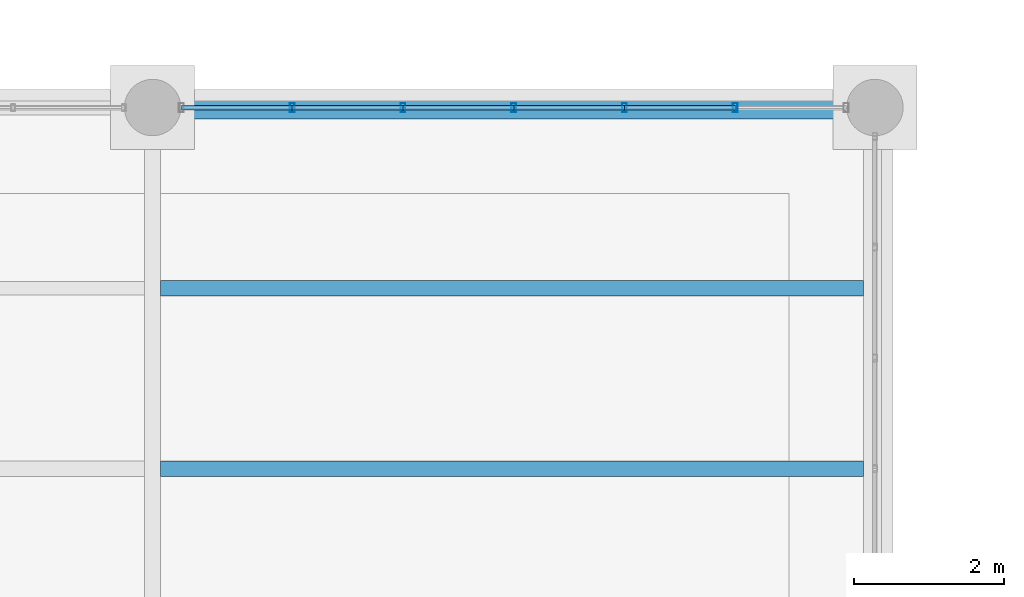
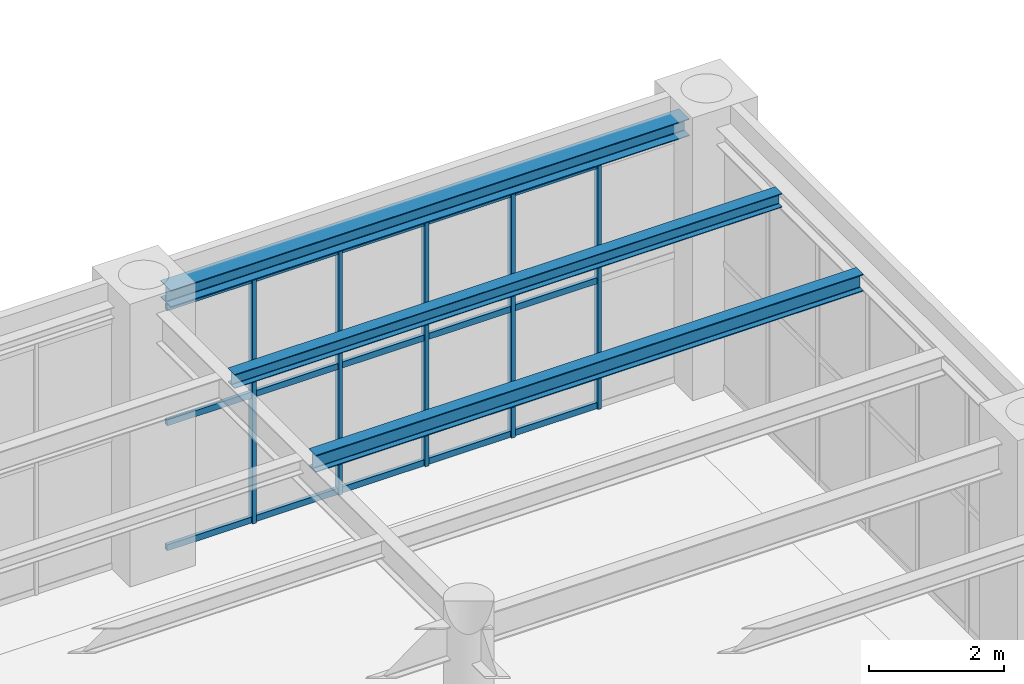
# One storey, part 69 of 174: 20 members, 3 beams, 1 element without a shape of its own.
"""IFC4 building model written with IfcOpenShell, lengths in metres."""

from ifc_helpers import new_model, si_unit, direction, frame, origin, origin_2d, place, context, subcontext, project, spatial, hollow_rectangle, i_section, extrude, material, material_profile, profile_set, type_object, element, aggregate, save


model = new_model("IFC4")

# Units and contexts
model_context = context("Model", 3, precision=1e-05, world=origin(), true_north=direction((0.0, 1.0)))
body_context = subcontext(model_context, "Body", "Model", "MODEL_VIEW")
ifc_project = project(units=[si_unit("LENGTHUNIT", "METRE"), si_unit("AREAUNIT", "SQUARE_METRE"), si_unit("VOLUMEUNIT", "CUBIC_METRE"), si_unit("PLANEANGLEUNIT", "RADIAN"), si_unit("MASSUNIT", "GRAM", prefix="KILO")], contexts=[model_context])

# Site, building, storey
site_placement = place(None, origin())
site = spatial("IfcSite", under=ifc_project, at=site_placement, CompositionType="ELEMENT")
building_placement = place(site_placement, origin())
building = spatial("IfcBuilding", under=site, at=building_placement, Name="Mavantir Sound Aquarium", CompositionType="ELEMENT")
storey_placement = place(building_placement, frame((0.0, 0.0, 5.39990234375)))
storey = spatial("IfcBuildingStorey", under=building, at=storey_placement, Name="L01", CompositionType="ELEMENT", Elevation=5.39990234375)

# Beams
ifc_material_1 = material(Name="Structural Steel ASTM A992 Gr50", Category="steel")
ifc_material_profile_1 = material_profile(ifc_material_1, i_section(OverallWidth=0.202880859375, OverallDepth=0.251953125, WebThickness=0.008056640625, FlangeThickness=0.013427734375, FilletRadius=0.011962890625, at=origin_2d()), Name="W250X58")
ifc_profile_set_1 = profile_set([ifc_material_profile_1], Name="Structural Steel ASTM A992 Gr50")
beam_type_1 = type_object("IfcBeamType", Name="BM-W250X58-I", PredefinedType="JOIST", material=ifc_profile_set_1)
beam_1_placement = place(storey_placement, frame((55.305908203125, 67.199951171875, 4.650146484375), z_axis=(1.0, 0.0, 0.0), x_axis=(0.0, 1.0, 0.0)))
element("IfcBeam", 1, at=beam_1_placement, inside=storey, type_object=beam_type_1, Name="L01 secondary floor joist SJ-25 688", PredefinedType="JOIST", context=body_context, shape_type="SweptSolid", body=[
    extrude(i_section(OverallWidth=0.202880859375, OverallDepth=0.251953125, WebThickness=0.008056640625, FlangeThickness=0.013427734375, FilletRadius=0.011962890625, at=origin_2d()), origin(), (0.0, 0.0, 1.0), 9.341552734375),
])
ifc_material_profile_2 = material_profile(ifc_material_1, i_section(OverallWidth=0.205078125, OverallDepth=0.31005859375, WebThickness=0.009521484375, FlangeThickness=0.016357421875, FilletRadius=0.012939453125, at=origin_2d()), Name="W310X74")
ifc_profile_set_2 = profile_set([ifc_material_profile_2], Name="Structural Steel ASTM A992 Gr50")
beam_type_2 = type_object("IfcBeamType", Name="BM-W310X74-I", PredefinedType="JOIST", material=ifc_profile_set_2)
beam_2_placement = place(storey_placement, frame((55.305908203125, 64.800048828125, 4.62109375), z_axis=(1.0, 0.0, 0.0), x_axis=(0.0, 1.0, 0.0)))
element("IfcBeam", 2, at=beam_2_placement, inside=storey, type_object=beam_type_2, Name="L01 secondary floor joist SJ-31 687", PredefinedType="JOIST", context=body_context, shape_type="SweptSolid", body=[
    extrude(i_section(OverallWidth=0.205078125, OverallDepth=0.31005859375, WebThickness=0.009521484375, FlangeThickness=0.016357421875, FilletRadius=0.012939453125, at=origin_2d()), origin(), (0.0, 0.0, 1.0), 9.341552734375),
])
ifc_material_profile_3 = material_profile(ifc_material_1, i_section(OverallWidth=0.304931640625, OverallDepth=0.30810546875, WebThickness=0.010009765625, FlangeThickness=0.015380859375, FilletRadius=0.014892578125, at=origin_2d()), Name="W310X97")
ifc_profile_set_3 = profile_set([ifc_material_profile_3], Name="Structural Steel ASTM A992 Gr50")
beam_type_3 = type_object("IfcBeamType", Name="BM-W310X97-E", PredefinedType="SPANDREL", material=ifc_profile_set_3)
beam_3_placement = place(storey_placement, frame((55.574951171875, 69.60009765625, 4.6220703125), z_axis=(1.0, 0.0, 0.0), x_axis=(0.0, 1.0, 0.0)))
element("IfcBeam", 3, at=beam_3_placement, inside=storey, type_object=beam_type_3, Name="L01 primary beam SS-31A 1193", PredefinedType="SPANDREL", context=body_context, shape_type="SweptSolid", body=[
    extrude(i_section(OverallWidth=0.304931640625, OverallDepth=0.30810546875, WebThickness=0.010009765625, FlangeThickness=0.015380859375, FilletRadius=0.014892578125, at=origin_2d()), origin(), (0.0, 0.0, 1.0), 8.85009765625),
])

# Curtain wall, members
ifc_material_2 = material(Name="Anodised Marine Aluminium and Low-E Glass", Category="aluminium")
curtain_wall_type = type_object("IfcCurtainWallType", Name="CW-T10", PredefinedType="USERDEFINED", material=ifc_material_2)
curtain_wall_placement = place(storey_placement, origin())
curtain_wall = element("IfcCurtainWall", 4, at=curtain_wall_placement, inside=storey, type_object=curtain_wall_type, Name="L01 unitised curtain wall CW-10 58", ObjectType="UNITISED GLAZING", PredefinedType="USERDEFINED")
ifc_material_3 = material(Name="Anodised Marine Aluminium 6063-T6", Category="aluminium")
ifc_material_profile_4 = material_profile(ifc_material_3, hollow_rectangle(XDim=0.06494140625, YDim=0.1201171875, WallThickness=0.00390625, at=origin_2d()), Name="ALU-MULLION-120X65")
ifc_profile_set_4 = profile_set([ifc_material_profile_4], Name="Anodised Marine Aluminium 6063-T6")
member_type_1 = type_object("IfcMemberType", Name="CW-MUL-120", PredefinedType="MULLION", material=ifc_profile_set_4)
member_1_placement = place(storey_placement, frame((62.944580078125, 69.60009765625, 0.0), z_axis=(0.0, 0.0, 1.0), x_axis=(1.0, 0.0, 0.0)))
member_1 = element("IfcMember", 5, at=member_1_placement, type_object=member_type_1, Name="CW-L01-058 vertical mullion 2", PredefinedType="MULLION", context=body_context, shape_type="SweptSolid", body=[
    extrude(hollow_rectangle(XDim=0.06494140625, YDim=0.1201171875, WallThickness=0.00390625, at=origin_2d()), origin(), (0.0, 0.0, 1.0), 4.43798828125),
])
member_2_placement = place(storey_placement, frame((61.472412109375, 69.60009765625, 0.0), z_axis=(0.0, 0.0, 1.0), x_axis=(1.0, 0.0, 0.0)))
member_2 = element("IfcMember", 6, at=member_2_placement, type_object=member_type_1, Name="CW-L01-058 vertical mullion 3", PredefinedType="MULLION", context=body_context, shape_type="SweptSolid", body=[
    extrude(hollow_rectangle(XDim=0.06494140625, YDim=0.1201171875, WallThickness=0.00390625, at=origin_2d()), origin(), (0.0, 0.0, 1.0), 4.43798828125),
])
member_3_placement = place(storey_placement, frame((60.0, 69.60009765625, 0.0), z_axis=(0.0, 0.0, 1.0), x_axis=(1.0, 0.0, 0.0)))
member_3 = element("IfcMember", 7, at=member_3_placement, type_object=member_type_1, Name="CW-L01-058 vertical mullion 4", PredefinedType="MULLION", context=body_context, shape_type="SweptSolid", body=[
    extrude(hollow_rectangle(XDim=0.06494140625, YDim=0.1201171875, WallThickness=0.00390625, at=origin_2d()), origin(), (0.0, 0.0, 1.0), 4.43798828125),
])
member_4_placement = place(storey_placement, frame((58.527587890625, 69.60009765625, 0.0), z_axis=(0.0, 0.0, 1.0), x_axis=(1.0, 0.0, 0.0)))
member_4 = element("IfcMember", 8, at=member_4_placement, type_object=member_type_1, Name="CW-L01-058 vertical mullion 5", PredefinedType="MULLION", context=body_context, shape_type="SweptSolid", body=[
    extrude(hollow_rectangle(XDim=0.06494140625, YDim=0.1201171875, WallThickness=0.00390625, at=origin_2d()), origin(), (0.0, 0.0, 1.0), 4.43798828125),
])
member_5_placement = place(storey_placement, frame((57.055419921875, 69.60009765625, 0.0), z_axis=(0.0, 0.0, 1.0), x_axis=(1.0, 0.0, 0.0)))
member_5 = element("IfcMember", 9, at=member_5_placement, type_object=member_type_1, Name="CW-L01-058 vertical mullion 6", PredefinedType="MULLION", context=body_context, shape_type="SweptSolid", body=[
    extrude(hollow_rectangle(XDim=0.06494140625, YDim=0.1201171875, WallThickness=0.00390625, at=origin_2d()), origin(), (0.0, 0.0, 1.0), 4.43798828125),
])
ifc_material_profile_5 = material_profile(ifc_material_3, hollow_rectangle(XDim=0.06005859375, YDim=0.110107421875, WallThickness=0.00390625, at=origin_2d()), Name="ALU-TRANSOM-110X60")
ifc_profile_set_5 = profile_set([ifc_material_profile_5], Name="Anodised Marine Aluminium 6063-T6")
member_type_2 = type_object("IfcMemberType", Name="CW-TRN-110", PredefinedType="USERDEFINED", material=ifc_profile_set_5)
member_6_placement = place(storey_placement, frame((62.944580078125, 69.60009765625, 0.05517578125), z_axis=(-1.0, 0.0, 0.0), x_axis=(0.0, -1.0, 0.0)))
member_6 = element("IfcMember", 10, at=member_6_placement, type_object=member_type_2, Name="CW-L01-058 transom 2.1", ObjectType="TRANSOM", PredefinedType="USERDEFINED", context=body_context, shape_type="SweptSolid", body=[
    extrude(hollow_rectangle(XDim=0.06005859375, YDim=0.110107421875, WallThickness=0.00390625, at=origin_2d()), origin(), (0.0, 0.0, 1.0), 1.47216796875),
])
member_7_placement = place(storey_placement, frame((62.944580078125, 69.60009765625, 2.307861328125), z_axis=(-1.0, 0.0, 0.0), x_axis=(0.0, -1.0, 0.0)))
member_7 = element("IfcMember", 11, at=member_7_placement, type_object=member_type_2, Name="CW-L01-058 transom 2.2", ObjectType="TRANSOM", PredefinedType="USERDEFINED", context=body_context, shape_type="SweptSolid", body=[
    extrude(hollow_rectangle(XDim=0.06005859375, YDim=0.110107421875, WallThickness=0.00390625, at=origin_2d()), origin(), (0.0, 0.0, 1.0), 1.47216796875),
])
member_8_placement = place(storey_placement, frame((62.944580078125, 69.60009765625, 4.383056640625), z_axis=(-1.0, 0.0, 0.0), x_axis=(0.0, -1.0, 0.0)))
member_8 = element("IfcMember", 12, at=member_8_placement, type_object=member_type_2, Name="CW-L01-058 transom 2.3", ObjectType="TRANSOM", PredefinedType="USERDEFINED", context=body_context, shape_type="SweptSolid", body=[
    extrude(hollow_rectangle(XDim=0.06005859375, YDim=0.110107421875, WallThickness=0.00390625, at=origin_2d()), origin(), (0.0, 0.0, 1.0), 1.47216796875),
])
member_9_placement = place(storey_placement, frame((61.472412109375, 69.60009765625, 0.05517578125), z_axis=(-1.0, 0.0, 0.0), x_axis=(0.0, -1.0, 0.0)))
member_9 = element("IfcMember", 13, at=member_9_placement, type_object=member_type_2, Name="CW-L01-058 transom 3.1", ObjectType="TRANSOM", PredefinedType="USERDEFINED", context=body_context, shape_type="SweptSolid", body=[
    extrude(hollow_rectangle(XDim=0.06005859375, YDim=0.110107421875, WallThickness=0.00390625, at=origin_2d()), origin(), (0.0, 0.0, 1.0), 1.472412109375),
])
member_10_placement = place(storey_placement, frame((61.472412109375, 69.60009765625, 2.307861328125), z_axis=(-1.0, 0.0, 0.0), x_axis=(0.0, -1.0, 0.0)))
member_10 = element("IfcMember", 14, at=member_10_placement, type_object=member_type_2, Name="CW-L01-058 transom 3.2", ObjectType="TRANSOM", PredefinedType="USERDEFINED", context=body_context, shape_type="SweptSolid", body=[
    extrude(hollow_rectangle(XDim=0.06005859375, YDim=0.110107421875, WallThickness=0.00390625, at=origin_2d()), origin(), (0.0, 0.0, 1.0), 1.472412109375),
])
member_11_placement = place(storey_placement, frame((61.472412109375, 69.60009765625, 4.383056640625), z_axis=(-1.0, 0.0, 0.0), x_axis=(0.0, -1.0, 0.0)))
member_11 = element("IfcMember", 15, at=member_11_placement, type_object=member_type_2, Name="CW-L01-058 transom 3.3", ObjectType="TRANSOM", PredefinedType="USERDEFINED", context=body_context, shape_type="SweptSolid", body=[
    extrude(hollow_rectangle(XDim=0.06005859375, YDim=0.110107421875, WallThickness=0.00390625, at=origin_2d()), origin(), (0.0, 0.0, 1.0), 1.472412109375),
])
member_12_placement = place(storey_placement, frame((60.0, 69.60009765625, 0.05517578125), z_axis=(-1.0, 0.0, 0.0), x_axis=(0.0, -1.0, 0.0)))
member_12 = element("IfcMember", 16, at=member_12_placement, type_object=member_type_2, Name="CW-L01-058 transom 4.1", ObjectType="TRANSOM", PredefinedType="USERDEFINED", context=body_context, shape_type="SweptSolid", body=[
    extrude(hollow_rectangle(XDim=0.06005859375, YDim=0.110107421875, WallThickness=0.00390625, at=origin_2d()), origin(), (0.0, 0.0, 1.0), 1.472412109375),
])
member_13_placement = place(storey_placement, frame((60.0, 69.60009765625, 2.307861328125), z_axis=(-1.0, 0.0, 0.0), x_axis=(0.0, -1.0, 0.0)))
member_13 = element("IfcMember", 17, at=member_13_placement, type_object=member_type_2, Name="CW-L01-058 transom 4.2", ObjectType="TRANSOM", PredefinedType="USERDEFINED", context=body_context, shape_type="SweptSolid", body=[
    extrude(hollow_rectangle(XDim=0.06005859375, YDim=0.110107421875, WallThickness=0.00390625, at=origin_2d()), origin(), (0.0, 0.0, 1.0), 1.472412109375),
])
member_14_placement = place(storey_placement, frame((60.0, 69.60009765625, 4.383056640625), z_axis=(-1.0, 0.0, 0.0), x_axis=(0.0, -1.0, 0.0)))
member_14 = element("IfcMember", 18, at=member_14_placement, type_object=member_type_2, Name="CW-L01-058 transom 4.3", ObjectType="TRANSOM", PredefinedType="USERDEFINED", context=body_context, shape_type="SweptSolid", body=[
    extrude(hollow_rectangle(XDim=0.06005859375, YDim=0.110107421875, WallThickness=0.00390625, at=origin_2d()), origin(), (0.0, 0.0, 1.0), 1.472412109375),
])
member_15_placement = place(storey_placement, frame((58.527587890625, 69.60009765625, 0.05517578125), z_axis=(-1.0, 0.0, 0.0), x_axis=(0.0, -1.0, 0.0)))
member_15 = element("IfcMember", 19, at=member_15_placement, type_object=member_type_2, Name="CW-L01-058 transom 5.1", ObjectType="TRANSOM", PredefinedType="USERDEFINED", context=body_context, shape_type="SweptSolid", body=[
    extrude(hollow_rectangle(XDim=0.06005859375, YDim=0.110107421875, WallThickness=0.00390625, at=origin_2d()), origin(), (0.0, 0.0, 1.0), 1.47216796875),
])
member_16_placement = place(storey_placement, frame((58.527587890625, 69.60009765625, 2.307861328125), z_axis=(-1.0, 0.0, 0.0), x_axis=(0.0, -1.0, 0.0)))
member_16 = element("IfcMember", 20, at=member_16_placement, type_object=member_type_2, Name="CW-L01-058 transom 5.2", ObjectType="TRANSOM", PredefinedType="USERDEFINED", context=body_context, shape_type="SweptSolid", body=[
    extrude(hollow_rectangle(XDim=0.06005859375, YDim=0.110107421875, WallThickness=0.00390625, at=origin_2d()), origin(), (0.0, 0.0, 1.0), 1.47216796875),
])
member_17_placement = place(storey_placement, frame((58.527587890625, 69.60009765625, 4.383056640625), z_axis=(-1.0, 0.0, 0.0), x_axis=(0.0, -1.0, 0.0)))
member_17 = element("IfcMember", 21, at=member_17_placement, type_object=member_type_2, Name="CW-L01-058 transom 5.3", ObjectType="TRANSOM", PredefinedType="USERDEFINED", context=body_context, shape_type="SweptSolid", body=[
    extrude(hollow_rectangle(XDim=0.06005859375, YDim=0.110107421875, WallThickness=0.00390625, at=origin_2d()), origin(), (0.0, 0.0, 1.0), 1.47216796875),
])
member_18_placement = place(storey_placement, frame((57.055419921875, 69.60009765625, 0.05517578125), z_axis=(-1.0, 0.0, 0.0), x_axis=(0.0, -1.0, 0.0)))
member_18 = element("IfcMember", 22, at=member_18_placement, type_object=member_type_2, Name="CW-L01-058 transom 6.1", ObjectType="TRANSOM", PredefinedType="USERDEFINED", context=body_context, shape_type="SweptSolid", body=[
    extrude(hollow_rectangle(XDim=0.06005859375, YDim=0.110107421875, WallThickness=0.00390625, at=origin_2d()), origin(), (0.0, 0.0, 1.0), 1.472412109375),
])
member_19_placement = place(storey_placement, frame((57.055419921875, 69.60009765625, 2.307861328125), z_axis=(-1.0, 0.0, 0.0), x_axis=(0.0, -1.0, 0.0)))
member_19 = element("IfcMember", 23, at=member_19_placement, type_object=member_type_2, Name="CW-L01-058 transom 6.2", ObjectType="TRANSOM", PredefinedType="USERDEFINED", context=body_context, shape_type="SweptSolid", body=[
    extrude(hollow_rectangle(XDim=0.06005859375, YDim=0.110107421875, WallThickness=0.00390625, at=origin_2d()), origin(), (0.0, 0.0, 1.0), 1.472412109375),
])
member_20_placement = place(storey_placement, frame((57.055419921875, 69.60009765625, 4.383056640625), z_axis=(-1.0, 0.0, 0.0), x_axis=(0.0, -1.0, 0.0)))
member_20 = element("IfcMember", 24, at=member_20_placement, type_object=member_type_2, Name="CW-L01-058 transom 6.3", ObjectType="TRANSOM", PredefinedType="USERDEFINED", context=body_context, shape_type="SweptSolid", body=[
    extrude(hollow_rectangle(XDim=0.06005859375, YDim=0.110107421875, WallThickness=0.00390625, at=origin_2d()), origin(), (0.0, 0.0, 1.0), 1.472412109375),
])
aggregate(curtain_wall, [member_1, member_2, member_3, member_4, member_5, member_6, member_7, member_8, member_9, member_10, member_11, member_12, member_13, member_14, member_15, member_16, member_17, member_18, member_19, member_20])

save(model, "model.ifc")
